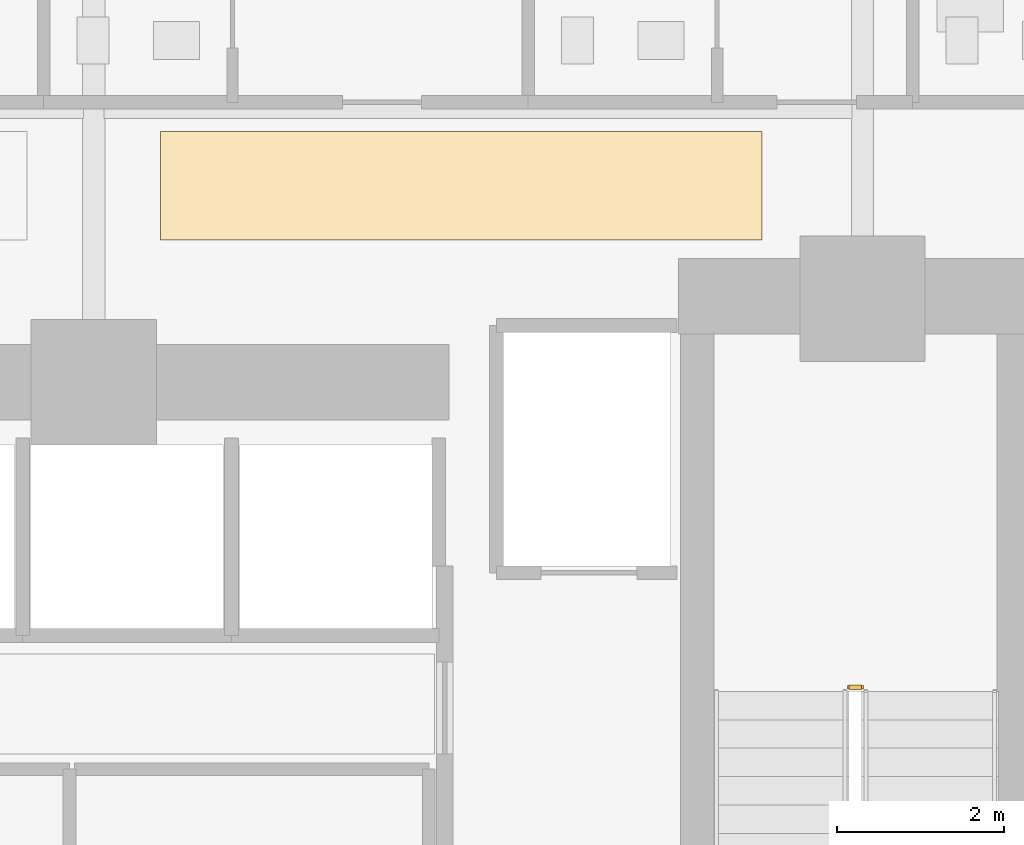
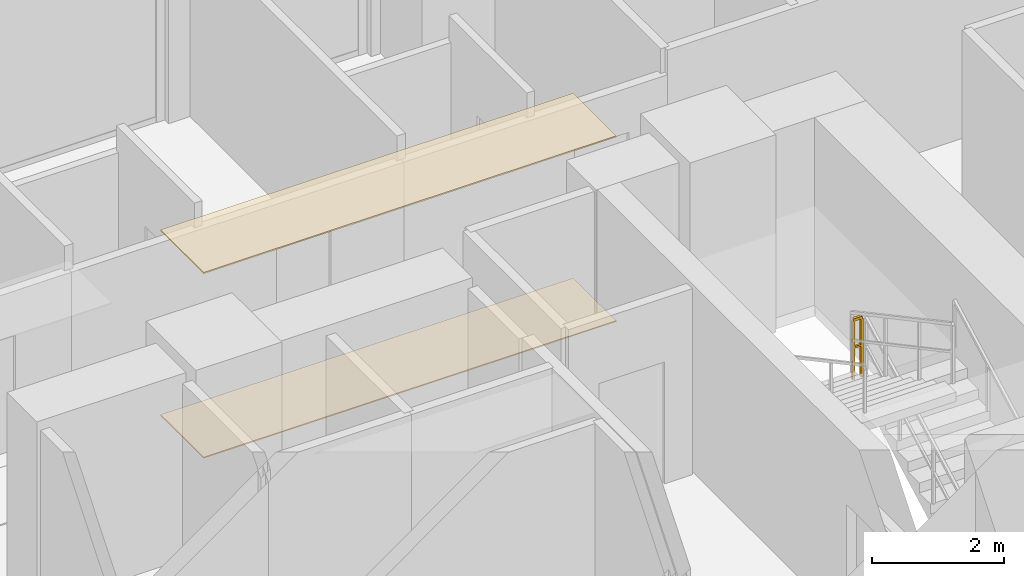
# One storey, part 27 of 28: 2 coverings, 1 railing.
"""IFC4 building model written with IfcOpenShell, lengths in metres."""

from ifc_helpers import new_model, si_unit, direction, frame, origin, origin_2d, place, context, subcontext, project, spatial, polyline, rectangle, outline, extrude, material, layer, layer_set, type_object, element, save


model = new_model("IFC4")

# Units and contexts
model_context = context("Model", 3, precision=1e-05, world=origin(), true_north=direction((0.0, 1.0)))
body_context = subcontext(model_context, "Body", "Model", "MODEL_VIEW")
ifc_project = project(units=[si_unit("LENGTHUNIT", "METRE"), si_unit("AREAUNIT", "SQUARE_METRE"), si_unit("VOLUMEUNIT", "CUBIC_METRE"), si_unit("PLANEANGLEUNIT", "RADIAN"), si_unit("MASSUNIT", "GRAM", prefix="KILO")], contexts=[model_context])

# Site, building, storey
site_placement = place(None, origin())
site = spatial("IfcSite", under=ifc_project, at=site_placement, CompositionType="ELEMENT")
building_placement = place(site_placement, origin())
building = spatial("IfcBuilding", under=site, at=building_placement, Name="Zuhayl Quay Hotel", CompositionType="ELEMENT")
storey_placement = place(building_placement, frame((0.0, 0.0, 31.25)))
storey = spatial("IfcBuildingStorey", under=building, at=storey_placement, Name="L06", CompositionType="ELEMENT", Elevation=31.25)

# Coverings
ifc_material_1 = material(Name="Acoustic Mineral-Fibre Gypsum Board")
ifc_layer_1 = layer(ifc_material_1, 0.02490234375, Name="Acoustic Mineral-Fibre Gypsum Board")
ifc_layer_set_1 = layer_set([ifc_layer_1], Name="Acoustic Mineral-Fibre Gypsum Board")
covering_type_1 = type_object("IfcCoveringType", Name="CV_CEIL_ACOUSTIC", PredefinedType="CEILING", material=ifc_layer_set_1)
covering_1_placement = place(storey_placement, frame((0.0, 0.0, 3.405029296875)))
element("IfcCovering", 1, at=covering_1_placement, inside=storey, type_object=covering_type_1, Name="L06 Guest Corridor Acoustic Ceiling CE", PredefinedType="CEILING", context=body_context, shape_type="SweptSolid", body=[
    extrude(outline(polyline([(5.39990234375, 15.050048828125), (12.60009765625, 15.050048828125), (12.60009765625, 16.35009765625), (5.39990234375, 16.35009765625), (5.39990234375, 15.050048828125)])), origin(), (0.0, 0.0, 1.0), 0.02490234375),
])
ifc_material_2 = material(Name="Polished Limestone Terrazzo", Category="masonry")
ifc_layer_2 = layer(ifc_material_2, 0.02001953125, Name="Polished Limestone Terrazzo", Category="masonry")
ifc_layer_set_2 = layer_set([ifc_layer_2], Name="Polished Limestone Terrazzo")
covering_type_2 = type_object("IfcCoveringType", Name="CV_FLOOR_TERRAZZO", PredefinedType="FLOORING", material=ifc_layer_set_2)
covering_2_placement = place(storey_placement, origin())
element("IfcCovering", 2, at=covering_2_placement, inside=storey, type_object=covering_type_2, Name="L06 Guest Corridor Terrazzo Runner CE", PredefinedType="FLOORING", context=body_context, shape_type="SweptSolid", body=[
    extrude(outline(polyline([(5.39990234375, 15.050048828125), (12.60009765625, 15.050048828125), (12.60009765625, 16.35009765625), (5.39990234375, 16.35009765625), (5.39990234375, 15.050048828125)])), origin(), (0.0, 0.0, 1.0), 0.02001953125),
])

# Railing
ifc_material_3 = material(Name="Steel ASTM A992 Grade 50", Category="steel")
railing_type = type_object("IfcRailingType", Name="RL_GUARD_1100", PredefinedType="GUARDRAIL", material=ifc_material_3)
railing_placement = place(storey_placement, frame((13.7900390625, 9.699951171875, 1.824951171875)))
element("IfcRailing", 3, at=railing_placement, inside=storey, type_object=railing_type, Name="L06 ST2 stair guard 2", PredefinedType="GUARDRAIL", context=body_context, shape_type="SweptSolid", body=[
    extrude(rectangle(XDim=0.048095703125, YDim=0.048095703125, at=origin_2d()), frame((0.0, 0.0, 1.09619140625), z_axis=(-1.0, 0.0, 0.0), x_axis=(0.0, -1.0, 0.0)), (0.0, 0.0, 1.0), 0.150146484375),
    extrude(rectangle(XDim=0.0361328125, YDim=0.0361328125, at=origin_2d()), frame((0.0, 0.0, 0.58251953125), z_axis=(-1.0, 0.0, 0.0), x_axis=(0.0, -1.0, 0.0)), (0.0, 0.0, 1.0), 0.150146484375),
    extrude(rectangle(XDim=0.0419921875, YDim=0.0419921875, at=origin_2d()), origin(), (0.0, 0.0, 1.0), 1.072021484375),
    extrude(rectangle(XDim=0.0419921875, YDim=0.0419921875, at=origin_2d()), frame((-0.150146484375, 0.0, 0.0)), (0.0, 0.0, 1.0), 1.072021484375),
])

save(model, "model.ifc")
